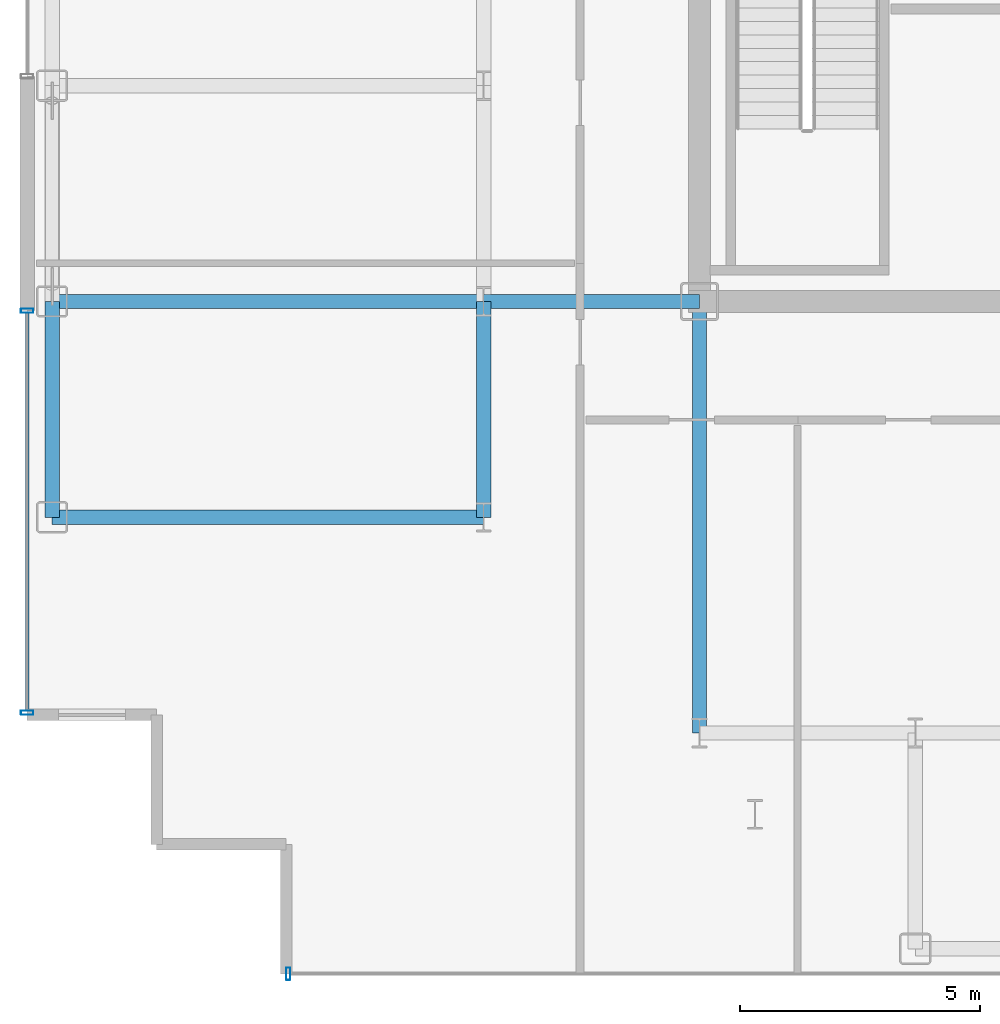
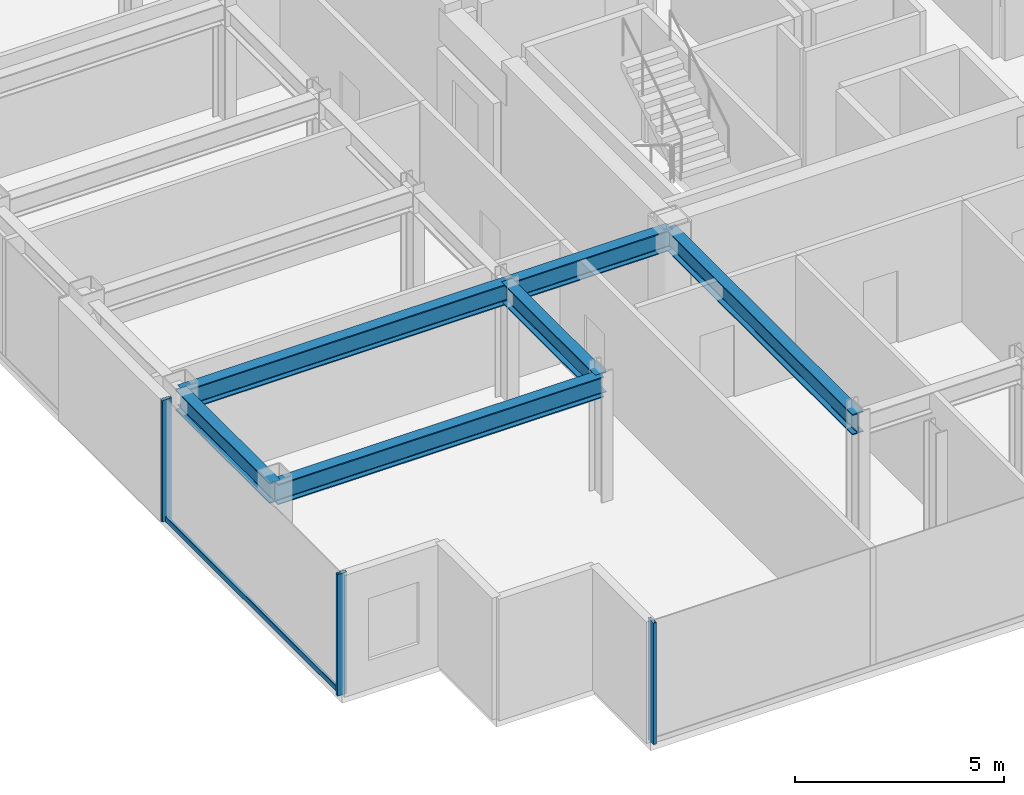
# One storey, part 2 of 17: 6 beams, 4 members, 2 elements without a shape of their own.
"""IFC4 building model written with IfcOpenShell, lengths in metres."""

from ifc_helpers import new_model, si_unit, direction, frame, origin, origin_2d, place, context, subcontext, project, spatial, hollow_rectangle, i_section, extrude, source, transform, mapped, material, layer, layer_set, material_profile, profile_set, type_object, element, aggregate, save


model = new_model("IFC4")

# Units and contexts
model_context = context("Model", 3, precision=1e-05, world=origin(), true_north=direction((0.0, 1.0)))
body_context = subcontext(model_context, "Body", "Model", "MODEL_VIEW")
ifc_project = project(units=[si_unit("LENGTHUNIT", "METRE"), si_unit("AREAUNIT", "SQUARE_METRE"), si_unit("VOLUMEUNIT", "CUBIC_METRE"), si_unit("PLANEANGLEUNIT", "RADIAN"), si_unit("MASSUNIT", "GRAM", prefix="KILO")], contexts=[model_context])

# Site, building, storey
site_placement = place(None, origin())
site = spatial("IfcSite", under=ifc_project, at=site_placement, CompositionType="ELEMENT")
building_placement = place(site_placement, origin())
building = spatial("IfcBuilding", under=site, at=building_placement, Name="Nefas-Gora Pilgrimage Tower", CompositionType="ELEMENT")
storey_placement = place(building_placement, frame((0.0, 0.0, 264.60009765625)))
storey = spatial("IfcBuildingStorey", under=building, at=storey_placement, Name="L66", CompositionType="ELEMENT", Elevation=264.60009765625)

# Beams
ifc_material_1 = material(Name="Steel S355", Category="steel")
ifc_material_profile_1 = material_profile(ifc_material_1, i_section(OverallWidth=0.300048828125, OverallDepth=0.60009765625, WebThickness=0.015380859375, FlangeThickness=0.030029296875, FilletRadius=0.027099609375, at=origin_2d()), Name="HEB 600")
ifc_profile_set_1 = profile_set([ifc_material_profile_1], Name="Steel S355")
beam_type_1 = type_object("IfcBeamType", Name="BM-SPN-HEB450", PredefinedType="SPANDREL", material=ifc_profile_set_1)
shared_shape_1 = source(origin(), body_context, "Body", "SweptSolid", [
    extrude(i_section(OverallWidth=0.300048828125, OverallDepth=0.60009765625, WebThickness=0.015380859375, FlangeThickness=0.030029296875, FilletRadius=0.027099609375, at=origin_2d()), origin(), (0.0, 0.0, 1.0), 4.5),
])
beam_placement = place(storey_placement, frame((-24.75, -13.5, 3.25), z_axis=(0.0, 1.0, 0.0), x_axis=(-1.0, 0.0, 0.0)))
element("IfcBeam", 1, at=beam_placement, inside=storey, type_object=beam_type_1, Name="L66 SP-03 beam", PredefinedType="SPANDREL", context=body_context, shape_type="MappedRepresentation", body=[
    mapped(shared_shape_1, transform((0.0, 0.0, 0.0), x_axis=(1.0, 0.0, 0.0), y_axis=(0.0, 1.0, 0.0), z_axis=(0.0, 0.0, 1.0), scale=1.0)),
])
ifc_material_profile_2 = material_profile(ifc_material_1, i_section(OverallWidth=0.300048828125, OverallDepth=0.60009765625, WebThickness=0.015380859375, FlangeThickness=0.030029296875, FilletRadius=0.027099609375, at=origin_2d()), Name="HEB 600")
ifc_profile_set_2 = profile_set([ifc_material_profile_2], Name="Steel S355")
beam_type_2 = type_object("IfcBeamType", Name="BM-GIR-HEB600", PredefinedType="BEAM", material=ifc_profile_set_2)
shared_shape_2 = source(origin(), body_context, "Body", "SweptSolid", [
    extrude(i_section(OverallWidth=0.300048828125, OverallDepth=0.60009765625, WebThickness=0.015380859375, FlangeThickness=0.030029296875, FilletRadius=0.027099609375, at=origin_2d()), origin(), (0.0, 0.0, 1.0), 9.0),
])
for number, where, z_axis, x_axis, name in (
    (2, (-24.75, -13.5, 3.25), (1.0, 0.0, 0.0), (0.0, 1.0, 0.0), "L66 G-04 beam"),
    (3, (-24.75, -9.0, 3.25), (1.0, 0.0, 0.0), (0.0, 1.0, 0.0), "L66 G-04 beam"),
    (4, (-11.25, -18.0, 3.25), (0.0, 1.0, 0.0), (-1.0, 0.0, 0.0), "L66 G-04 beam"),
):
    element("IfcBeam", number, at=place(storey_placement, frame(where, z_axis=z_axis, x_axis=x_axis)), inside=storey, type_object=beam_type_2, Name=name, PredefinedType="BEAM", context=body_context, shape_type="MappedRepresentation", body=[
        mapped(shared_shape_2, transform((0.0, 0.0, 0.0), x_axis=(1.0, 0.0, 0.0), y_axis=(0.0, 1.0, 0.0), z_axis=(0.0, 0.0, 1.0), scale=1.0)),
    ])
shared_shape_3 = source(origin(), body_context, "Body", "SweptSolid", [
    extrude(i_section(OverallWidth=0.300048828125, OverallDepth=0.60009765625, WebThickness=0.015380859375, FlangeThickness=0.030029296875, FilletRadius=0.027099609375, at=origin_2d()), origin(), (0.0, 0.0, 1.0), 4.5),
])
for number, where, z_axis, x_axis, name in (
    (5, (-15.75, -13.5, 3.25), (0.0, 1.0, 0.0), (-1.0, 0.0, 0.0), "L66 G-04 beam"),
    (6, (-15.75, -9.0, 3.25), (1.0, 0.0, 0.0), (0.0, 1.0, 0.0), "L66 G-04 beam"),
):
    element("IfcBeam", number, at=place(storey_placement, frame(where, z_axis=z_axis, x_axis=x_axis)), inside=storey, type_object=beam_type_2, Name=name, PredefinedType="BEAM", context=body_context, shape_type="MappedRepresentation", body=[
        mapped(shared_shape_3, transform((0.0, 0.0, 0.0), x_axis=(1.0, 0.0, 0.0), y_axis=(0.0, 1.0, 0.0), z_axis=(0.0, 0.0, 1.0), scale=1.0)),
    ])

# Curtain wall, members
ifc_material_2 = material(Name="Dark ceramic-fritted solar-control aluminium-glass curtain wall", Category="aluminium")
ifc_layer = layer(ifc_material_2, 0.219970703125)
ifc_layer_set = layer_set([ifc_layer], Name="Dark ceramic-fritted solar-control aluminium-glass curtain wall")
curtain_wall_type = type_object("IfcCurtainWallType", Name="CW-SYS-4", PredefinedType="NOTDEFINED", material=ifc_layer_set)
curtain_wall_1_placement = place(storey_placement, origin())
curtain_wall_1 = element("IfcCurtainWall", 7, at=curtain_wall_1_placement, inside=storey, type_object=curtain_wall_type, Name="L66 Unitised Curtain Wall CW4", PredefinedType="NOTDEFINED")
ifc_material_3 = material(Name="Anodised architectural aluminium", Category="aluminium")
ifc_material_profile_3 = material_profile(ifc_material_3, hollow_rectangle(XDim=0.090087890625, YDim=0.260009765625, WallThickness=0.006103515625, InnerFilletRadius=0.006103515625, OuterFilletRadius=0.011962890625, at=origin_2d()), Name="ALU MULLION 90x260")
ifc_profile_set_3 = profile_set([ifc_material_profile_3], Name="Anodised architectural aluminium")
member_type_1 = type_object("IfcMemberType", Name="CWM-MUL-4", PredefinedType="MULLION", material=ifc_profile_set_3)
shared_shape_4 = source(origin(), body_context, "Body", "SweptSolid", [
    extrude(hollow_rectangle(XDim=0.090087890625, YDim=0.260009765625, WallThickness=0.006103515625, InnerFilletRadius=0.006103515625, OuterFilletRadius=0.011962890625, at=origin_2d()), origin(), (0.0, 0.0, 1.0), 3.5498046875),
])
member_1_placement = place(storey_placement, frame((-25.27001953125, -9.195068359375, 0.0), z_axis=(0.0, 0.0, 1.0), x_axis=(0.0, -1.0, 0.0)))
member_1 = element("IfcMember", 8, at=member_1_placement, type_object=member_type_1, Name="CW4 Mullion 1", PredefinedType="MULLION", context=body_context, shape_type="MappedRepresentation", body=[
    mapped(shared_shape_4, transform((0.0, 0.0, 0.0), x_axis=(1.0, 0.0, 0.0), y_axis=(0.0, 1.0, 0.0), z_axis=(0.0, 0.0, 1.0), scale=1.0)),
])
member_2_placement = place(storey_placement, frame((-25.27001953125, -17.574951171875, 0.0), z_axis=(0.0, 0.0, 1.0), x_axis=(0.0, -1.0, 0.0)))
member_2 = element("IfcMember", 9, at=member_2_placement, type_object=member_type_1, Name="CW4 Mullion 2", PredefinedType="MULLION", context=body_context, shape_type="MappedRepresentation", body=[
    mapped(shared_shape_4, transform((0.0, 0.0, 0.0), x_axis=(1.0, 0.0, 0.0), y_axis=(0.0, 1.0, 0.0), z_axis=(0.0, 0.0, 1.0), scale=1.0)),
])

# Curtain wall, member
curtain_wall_2_placement = place(storey_placement, origin())
curtain_wall_2 = element("IfcCurtainWall", 10, at=curtain_wall_2_placement, inside=storey, type_object=curtain_wall_type, Name="L66 Unitised Curtain Wall CW4", PredefinedType="NOTDEFINED")
member_3_placement = place(storey_placement, frame((-19.824951171875, -23.02001953125, 0.0), z_axis=(0.0, 0.0, 1.0), x_axis=(1.0, 0.0, 0.0)))
member_3 = element("IfcMember", 11, at=member_3_placement, type_object=member_type_1, Name="CW4 Mullion 1", PredefinedType="MULLION", context=body_context, shape_type="MappedRepresentation", body=[
    mapped(shared_shape_4, transform((0.0, 0.0, 0.0), x_axis=(1.0, 0.0, 0.0), y_axis=(0.0, 1.0, 0.0), z_axis=(0.0, 0.0, 1.0), scale=1.0)),
])
aggregate(curtain_wall_2, [member_3])

# Member
ifc_material_profile_4 = material_profile(ifc_material_3, hollow_rectangle(XDim=0.080078125, YDim=0.159912109375, WallThickness=0.00439453125, InnerFilletRadius=0.00439453125, OuterFilletRadius=0.009033203125, at=origin_2d()), Name="ALU TRANSOM 80x160")
ifc_profile_set_4 = profile_set([ifc_material_profile_4], Name="Anodised architectural aluminium")
member_type_2 = type_object("IfcMemberType", Name="CWM-TRN-4", PredefinedType="USERDEFINED", material=ifc_profile_set_4)
shared_shape_5 = source(origin(), body_context, "Body", "SweptSolid", [
    extrude(hollow_rectangle(XDim=0.080078125, YDim=0.159912109375, WallThickness=0.00439453125, InnerFilletRadius=0.00439453125, OuterFilletRadius=0.009033203125, at=origin_2d()), origin(), (0.0, 0.0, 1.0), 8.2900390625),
])
member_4_placement = place(storey_placement, frame((-25.27001953125, -9.239990234375, 0.0498046875), z_axis=(0.0, -1.0, 0.0), x_axis=(1.0, 0.0, 0.0)))
member_4 = element("IfcMember", 12, at=member_4_placement, type_object=member_type_2, Name="CW4 Spandrel Transom", ObjectType="TRANSOM", PredefinedType="USERDEFINED", context=body_context, shape_type="MappedRepresentation", body=[
    mapped(shared_shape_5, transform((0.0, 0.0, 0.0), x_axis=(1.0, 0.0, 0.0), y_axis=(0.0, 1.0, 0.0), z_axis=(0.0, 0.0, 1.0), scale=1.0)),
])

aggregate(curtain_wall_1, [member_1, member_2, member_4])

save(model, "model.ifc")
